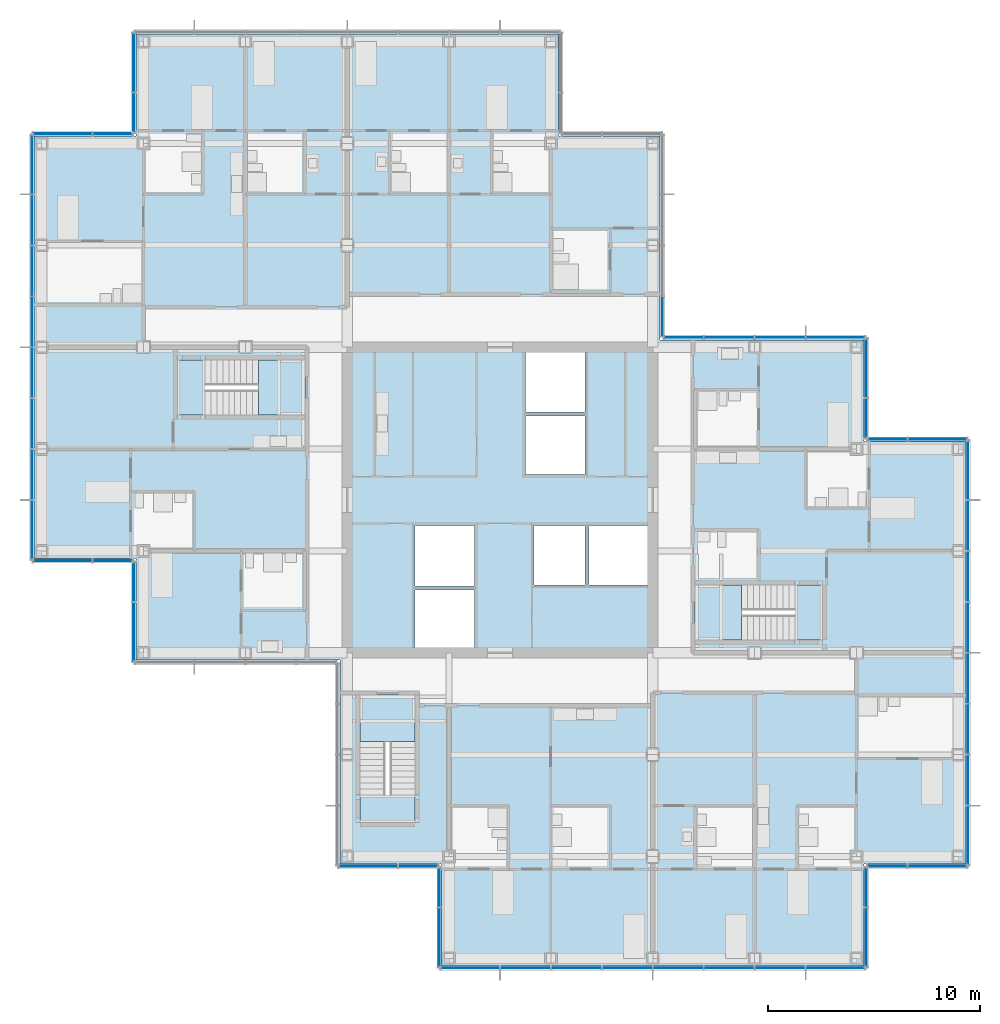
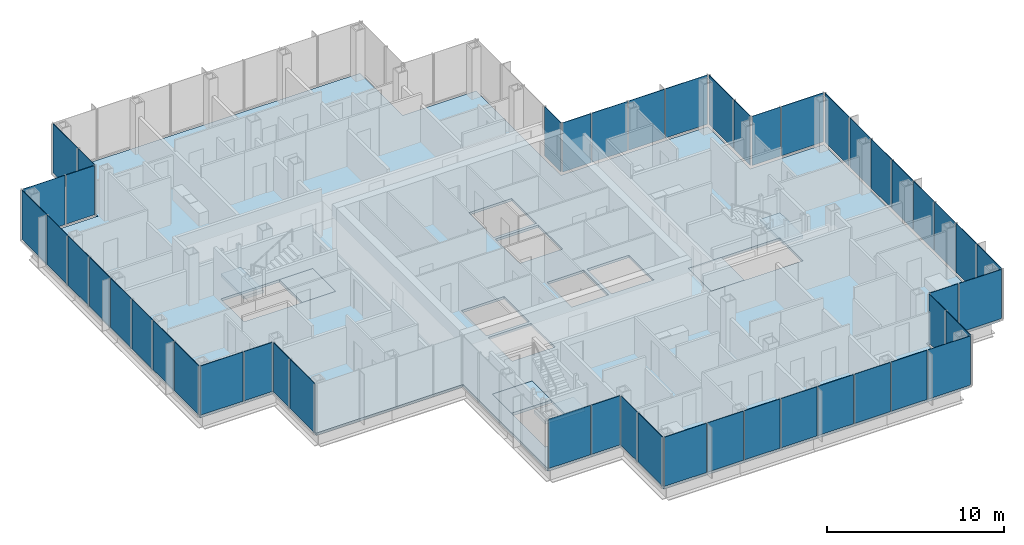
# One storey, part 12 of 20: 49 plates, 7 slabs, 18 elements without a shape of their own.
"""IFC4 building model written with IfcOpenShell, lengths in metres."""

from ifc_helpers import new_model, si_unit, direction, frame, origin, origin_2d, place, context, subcontext, project, spatial, polyline, rectangle, outline, extrude, material, layer, layer_set, type_object, element, aggregate, save


model = new_model("IFC4")

# Units and contexts
model_context = context("Model", 3, precision=1e-05, world=origin(), true_north=direction((0.0, 1.0)))
body_context = subcontext(model_context, "Body", "Model", "MODEL_VIEW")
ifc_project = project(units=[si_unit("LENGTHUNIT", "METRE"), si_unit("AREAUNIT", "SQUARE_METRE"), si_unit("VOLUMEUNIT", "CUBIC_METRE"), si_unit("PLANEANGLEUNIT", "RADIAN"), si_unit("MASSUNIT", "GRAM", prefix="KILO")], contexts=[model_context])

# Site, building, storey
site_placement = place(None, origin())
site = spatial("IfcSite", under=ifc_project, at=site_placement, CompositionType="ELEMENT")
building_placement = place(site_placement, origin())
building = spatial("IfcBuilding", under=site, at=building_placement, Name="Kvirike Care Tower", CompositionType="ELEMENT")
storey_placement = place(building_placement, frame((0.0, 0.0, 122.5)))
storey = spatial("IfcBuildingStorey", under=building, at=storey_placement, Name="L33", CompositionType="ELEMENT", Elevation=122.5)

# Slab
ifc_material_1 = material(Name="Concrete C35/45", Category="concrete")
ifc_layer_1 = layer(ifc_material_1, 0.169921875)
ifc_layer_set_1 = layer_set([ifc_layer_1], Name="FLOOR SLAB 170")
slab_type_1 = type_object("IfcSlabType", Name="FLOOR SLAB 170", PredefinedType="FLOOR", material=ifc_layer_set_1)
slab_1_placement = place(storey_placement, frame((0.0, 0.0, -0.169921875)))
element("IfcSlab", 1, at=slab_1_placement, inside=storey, type_object=slab_type_1, Name="Floor slab L33", PredefinedType="FLOOR", context=body_context, shape_type="SweptSolid", body=[
    extrude(outline(polyline([(43.550048828125, 18.85009765625), (43.550048828125, 38.75), (38.75, 38.75), (38.75, 43.550048828125), (29.14990234375, 43.550048828125), (29.14990234375, 53.14990234375), (24.35009765625, 53.14990234375), (24.35009765625, 57.949951171875), (4.449951171875, 57.949951171875), (4.449951171875, 53.14990234375), (-0.35009765625, 53.14990234375), (-0.35009765625, 33.25), (4.449951171875, 33.25), (4.449951171875, 28.449951171875), (14.050048828125, 28.449951171875), (14.050048828125, 18.85009765625), (18.85009765625, 18.85009765625), (18.85009765625, 14.050048828125), (38.75, 14.050048828125), (38.75, 18.85009765625), (43.550048828125, 18.85009765625)]), holes=[polyline([(17.60009765625, 29.050048828125), (17.60009765625, 31.75), (20.39990234375, 31.75), (20.39990234375, 29.050048828125), (17.60009765625, 29.050048828125)]), polyline([(17.60009765625, 31.949951171875), (17.60009765625, 34.800048828125), (20.39990234375, 34.800048828125), (20.39990234375, 31.949951171875), (17.60009765625, 31.949951171875)]), polyline([(22.800048828125, 37.199951171875), (22.800048828125, 39.949951171875), (25.60009765625, 39.949951171875), (25.60009765625, 37.199951171875), (22.800048828125, 37.199951171875)]), polyline([(22.800048828125, 40.14990234375), (22.800048828125, 42.949951171875), (25.60009765625, 42.949951171875), (25.60009765625, 40.14990234375), (22.800048828125, 40.14990234375)]), polyline([(23.199951171875, 32.0), (23.199951171875, 34.800048828125), (25.60009765625, 34.800048828125), (25.60009765625, 32.0), (23.199951171875, 32.0)]), polyline([(25.800048828125, 32.0), (25.800048828125, 34.800048828125), (28.550048828125, 34.800048828125), (28.550048828125, 32.0), (25.800048828125, 32.0)]), polyline([(12.39990234375, 42.60009765625), (12.39990234375, 40.0), (6.39990234375, 40.0), (6.39990234375, 42.60009765625), (12.39990234375, 42.60009765625)]), polyline([(30.800048828125, 29.39990234375), (30.800048828125, 32.0), (36.800048828125, 32.0), (36.800048828125, 29.39990234375), (30.800048828125, 29.39990234375)]), polyline([(15.0, 26.800048828125), (17.60009765625, 26.800048828125), (17.60009765625, 20.800048828125), (15.0, 20.800048828125), (15.0, 26.800048828125)])]), origin(), (0.0, 0.0, 1.0), 0.169921875),
])

# Stair, slabs
ifc_material_2 = material(Name="Concrete C35/45", Category="concrete")
stair_type = type_object("IfcStairType", Name="STAIR 20 RISERS", PredefinedType="HALF_TURN_STAIR", material=ifc_material_2)
stair_1_placement = place(storey_placement, origin())
stair_1 = element("IfcStair", 2, at=stair_1_placement, inside=storey, type_object=stair_type, Name="Stair 1 L33", PredefinedType="HALF_TURN_STAIR")
ifc_material_3 = material(Name="Concrete C35/45", Category="concrete")
ifc_layer_2 = layer(ifc_material_3, 0.199951171875)
ifc_layer_set_2 = layer_set([ifc_layer_2], Name="STAIR LANDING 200")
slab_type_2 = type_object("IfcSlabType", Name="STAIR LANDING 200", PredefinedType="LANDING", material=ifc_layer_set_2)
slab_2_placement = place(storey_placement, frame((0.0, 0.0, -0.199951171875)))
slab_2 = element("IfcSlab", 3, at=slab_2_placement, type_object=slab_type_2, Name="Stair S1 floor landing L33", PredefinedType="LANDING", context=body_context, shape_type="SweptSolid", body=[
    extrude(outline(polyline([(10.219970703125, 42.60009765625), (10.219970703125, 40.0), (12.39990234375, 40.0), (12.39990234375, 42.60009765625), (10.219970703125, 42.60009765625)])), origin(), (0.0, 0.0, 1.0), 0.199951171875),
])
slab_3_placement = place(storey_placement, frame((0.0, 0.0, 1.550048828125)))
slab_3 = element("IfcSlab", 4, at=slab_3_placement, type_object=slab_type_2, Name="Stair S1 half landing L33-L34", PredefinedType="LANDING", context=body_context, shape_type="SweptSolid", body=[
    extrude(outline(polyline([(6.39990234375, 42.60009765625), (6.39990234375, 40.0), (7.699951171875, 40.0), (7.699951171875, 42.60009765625), (6.39990234375, 42.60009765625)])), origin(), (0.0, 0.0, 1.0), 0.199951171875),
])
aggregate(stair_1, [slab_2, slab_3])

stair_2_placement = place(storey_placement, origin())
stair_2 = element("IfcStair", 5, at=stair_2_placement, inside=storey, type_object=stair_type, Name="Stair 2 L33", PredefinedType="HALF_TURN_STAIR")
slab_4_placement = place(storey_placement, frame((0.0, 0.0, -0.199951171875)))
slab_4 = element("IfcSlab", 6, at=slab_4_placement, type_object=slab_type_2, Name="Stair S2 floor landing L33", PredefinedType="LANDING", context=body_context, shape_type="SweptSolid", body=[
    extrude(outline(polyline([(32.97998046875, 29.39990234375), (32.97998046875, 32.0), (30.800048828125, 32.0), (30.800048828125, 29.39990234375), (32.97998046875, 29.39990234375)])), origin(), (0.0, 0.0, 1.0), 0.199951171875),
])
slab_5_placement = place(storey_placement, frame((0.0, 0.0, 1.550048828125)))
slab_5 = element("IfcSlab", 7, at=slab_5_placement, type_object=slab_type_2, Name="Stair S2 half landing L33-L34", PredefinedType="LANDING", context=body_context, shape_type="SweptSolid", body=[
    extrude(outline(polyline([(36.800048828125, 29.39990234375), (36.800048828125, 32.0), (35.5, 32.0), (35.5, 29.39990234375), (36.800048828125, 29.39990234375)])), origin(), (0.0, 0.0, 1.0), 0.199951171875),
])
aggregate(stair_2, [slab_4, slab_5])

stair_3_placement = place(storey_placement, origin())
stair_3 = element("IfcStair", 8, at=stair_3_placement, inside=storey, type_object=stair_type, Name="Stair 5 L33", PredefinedType="HALF_TURN_STAIR")
slab_6_placement = place(storey_placement, frame((0.0, 0.0, -0.199951171875)))
slab_6 = element("IfcSlab", 9, at=slab_6_placement, type_object=slab_type_2, Name="Stair S5 floor landing L33", PredefinedType="LANDING", context=body_context, shape_type="SweptSolid", body=[
    extrude(outline(polyline([(15.0, 24.6201171875), (17.60009765625, 24.6201171875), (17.60009765625, 26.800048828125), (15.0, 26.800048828125), (15.0, 24.6201171875)])), origin(), (0.0, 0.0, 1.0), 0.199951171875),
])
slab_7_placement = place(storey_placement, frame((0.0, 0.0, 1.550048828125)))
slab_7 = element("IfcSlab", 10, at=slab_7_placement, type_object=slab_type_2, Name="Stair S5 half landing L33-L34", PredefinedType="LANDING", context=body_context, shape_type="SweptSolid", body=[
    extrude(outline(polyline([(15.0, 20.800048828125), (17.60009765625, 20.800048828125), (17.60009765625, 22.10009765625), (15.0, 22.10009765625), (15.0, 20.800048828125)])), origin(), (0.0, 0.0, 1.0), 0.199951171875),
])
aggregate(stair_3, [slab_6, slab_7])

# Curtain wall, plates
ifc_material_4 = material(Name="Anodised aluminium stick system", Category="aluminium")
curtain_wall_type = type_object("IfcCurtainWallType", Name="CW-B STICK CURTAIN WALL", PredefinedType="NOTDEFINED", material=ifc_material_4)
curtain_wall_1_placement = place(storey_placement, origin())
curtain_wall_1 = element("IfcCurtainWall", 11, at=curtain_wall_1_placement, inside=storey, type_object=curtain_wall_type, Name="Curtain wall L33 face 1", PredefinedType="NOTDEFINED")
ifc_material_5 = material(Name="Tinted double glazed unit", Category="glass")
ifc_layer_3 = layer(ifc_material_5, 0.035888671875)
ifc_layer_set_3 = layer_set([ifc_layer_3], Name="TINTED VISION PANEL 36")
plate_type = type_object("IfcPlateType", Name="TINTED VISION PANEL 36", PredefinedType="CURTAIN_PANEL", material=ifc_layer_set_3)
plate_1_placement = place(storey_placement, frame((43.659912109375, 20.186279296875, 0.10009765625), z_axis=(0.0, 0.0, 1.0), x_axis=(0.0, 1.0, 0.0)))
plate_1 = element("IfcPlate", 12, at=plate_1_placement, type_object=plate_type, Name="CW-B panel L33 face 1.1", PredefinedType="CURTAIN_PANEL", context=body_context, shape_type="SweptSolid", body=[
    extrude(rectangle(XDim=2.762451171875, YDim=0.035888671875, at=origin_2d()), origin(), (0.0, 0.0, 1.0), 3.39990234375),
])
plate_2_placement = place(storey_placement, frame((43.659912109375, 22.800048828125, 0.10009765625), z_axis=(0.0, 0.0, 1.0), x_axis=(0.0, 1.0, 0.0)))
plate_2 = element("IfcPlate", 13, at=plate_2_placement, type_object=plate_type, Name="CW-B panel L33 face 1.2", PredefinedType="CURTAIN_PANEL", context=body_context, shape_type="SweptSolid", body=[
    extrude(rectangle(XDim=2.3349609375, YDim=0.035888671875, at=origin_2d()), origin(), (0.0, 0.0, 1.0), 3.39990234375),
])
plate_3_placement = place(storey_placement, frame((43.659912109375, 25.199951171875, 0.10009765625), z_axis=(0.0, 0.0, 1.0), x_axis=(0.0, 1.0, 0.0)))
plate_3 = element("IfcPlate", 14, at=plate_3_placement, type_object=plate_type, Name="CW-B panel L33 face 1.3", PredefinedType="CURTAIN_PANEL", context=body_context, shape_type="SweptSolid", body=[
    extrude(rectangle(XDim=2.3349609375, YDim=0.035888671875, at=origin_2d()), origin(), (0.0, 0.0, 1.0), 3.39990234375),
])
plate_4_placement = place(storey_placement, frame((43.659912109375, 27.60009765625, 0.10009765625), z_axis=(0.0, 0.0, 1.0), x_axis=(0.0, 1.0, 0.0)))
plate_4 = element("IfcPlate", 15, at=plate_4_placement, type_object=plate_type, Name="CW-B panel L33 face 1.4", PredefinedType="CURTAIN_PANEL", context=body_context, shape_type="SweptSolid", body=[
    extrude(rectangle(XDim=2.3349609375, YDim=0.035888671875, at=origin_2d()), origin(), (0.0, 0.0, 1.0), 3.39990234375),
])
plate_5_placement = place(storey_placement, frame((43.659912109375, 30.0, 0.10009765625), z_axis=(0.0, 0.0, 1.0), x_axis=(0.0, 1.0, 0.0)))
plate_5 = element("IfcPlate", 16, at=plate_5_placement, type_object=plate_type, Name="CW-B panel L33 face 1.5", PredefinedType="CURTAIN_PANEL", context=body_context, shape_type="SweptSolid", body=[
    extrude(rectangle(XDim=2.3349609375, YDim=0.035888671875, at=origin_2d()), origin(), (0.0, 0.0, 1.0), 3.39990234375),
])
plate_6_placement = place(storey_placement, frame((43.659912109375, 32.39990234375, 0.10009765625), z_axis=(0.0, 0.0, 1.0), x_axis=(0.0, 1.0, 0.0)))
plate_6 = element("IfcPlate", 17, at=plate_6_placement, type_object=plate_type, Name="CW-B panel L33 face 1.6", PredefinedType="CURTAIN_PANEL", context=body_context, shape_type="SweptSolid", body=[
    extrude(rectangle(XDim=2.3349609375, YDim=0.035888671875, at=origin_2d()), origin(), (0.0, 0.0, 1.0), 3.39990234375),
])
plate_7_placement = place(storey_placement, frame((43.659912109375, 34.800048828125, 0.10009765625), z_axis=(0.0, 0.0, 1.0), x_axis=(0.0, 1.0, 0.0)))
plate_7 = element("IfcPlate", 18, at=plate_7_placement, type_object=plate_type, Name="CW-B panel L33 face 1.7", PredefinedType="CURTAIN_PANEL", context=body_context, shape_type="SweptSolid", body=[
    extrude(rectangle(XDim=2.3349609375, YDim=0.035888671875, at=origin_2d()), origin(), (0.0, 0.0, 1.0), 3.39990234375),
])
plate_8_placement = place(storey_placement, frame((43.659912109375, 37.413818359375, 0.10009765625), z_axis=(0.0, 0.0, 1.0), x_axis=(0.0, 1.0, 0.0)))
plate_8 = element("IfcPlate", 19, at=plate_8_placement, type_object=plate_type, Name="CW-B panel L33 face 1.8", PredefinedType="CURTAIN_PANEL", context=body_context, shape_type="SweptSolid", body=[
    extrude(rectangle(XDim=2.762451171875, YDim=0.035888671875, at=origin_2d()), origin(), (0.0, 0.0, 1.0), 3.39990234375),
])
aggregate(curtain_wall_1, [plate_1, plate_2, plate_3, plate_4, plate_5, plate_6, plate_7, plate_8])

curtain_wall_2_placement = place(storey_placement, origin())
curtain_wall_2 = element("IfcCurtainWall", 20, at=curtain_wall_2_placement, inside=storey, type_object=curtain_wall_type, Name="Curtain wall L33 face 2", PredefinedType="NOTDEFINED")
plate_9_placement = place(storey_placement, frame((42.2138671875, 38.860107421875, 0.10009765625), z_axis=(0.0, 0.0, 1.0), x_axis=(-1.0, 0.0, 0.0)))
plate_9 = element("IfcPlate", 21, at=plate_9_placement, type_object=plate_type, Name="CW-B panel L33 face 2.1", PredefinedType="CURTAIN_PANEL", context=body_context, shape_type="SweptSolid", body=[
    extrude(rectangle(XDim=2.762451171875, YDim=0.035888671875, at=origin_2d()), origin(), (0.0, 0.0, 1.0), 3.39990234375),
])
plate_10_placement = place(storey_placement, frame((39.84619140625, 38.860107421875, 0.10009765625), z_axis=(0.0, 0.0, 1.0), x_axis=(-1.0, 0.0, 0.0)))
plate_10 = element("IfcPlate", 22, at=plate_10_placement, type_object=plate_type, Name="CW-B panel L33 face 2.2", PredefinedType="CURTAIN_PANEL", context=body_context, shape_type="SweptSolid", body=[
    extrude(rectangle(XDim=1.842529296875, YDim=0.035888671875, at=origin_2d()), origin(), (0.0, 0.0, 1.0), 3.39990234375),
])
aggregate(curtain_wall_2, [plate_9, plate_10])

curtain_wall_3_placement = place(storey_placement, origin())
curtain_wall_3 = element("IfcCurtainWall", 23, at=curtain_wall_3_placement, inside=storey, type_object=curtain_wall_type, Name="Curtain wall L33 face 3", PredefinedType="NOTDEFINED")
plate_11_placement = place(storey_placement, frame((38.860107421875, 39.84619140625, 0.10009765625), z_axis=(0.0, 0.0, 1.0), x_axis=(0.0, 1.0, 0.0)))
plate_11 = element("IfcPlate", 24, at=plate_11_placement, type_object=plate_type, Name="CW-B panel L33 face 3.1", PredefinedType="CURTAIN_PANEL", context=body_context, shape_type="SweptSolid", body=[
    extrude(rectangle(XDim=1.842529296875, YDim=0.035888671875, at=origin_2d()), origin(), (0.0, 0.0, 1.0), 3.39990234375),
])
plate_12_placement = place(storey_placement, frame((38.860107421875, 42.2138671875, 0.10009765625), z_axis=(0.0, 0.0, 1.0), x_axis=(0.0, 1.0, 0.0)))
plate_12 = element("IfcPlate", 25, at=plate_12_placement, type_object=plate_type, Name="CW-B panel L33 face 3.2", PredefinedType="CURTAIN_PANEL", context=body_context, shape_type="SweptSolid", body=[
    extrude(rectangle(XDim=2.762451171875, YDim=0.035888671875, at=origin_2d()), origin(), (0.0, 0.0, 1.0), 3.39990234375),
])
aggregate(curtain_wall_3, [plate_11, plate_12])

curtain_wall_4_placement = place(storey_placement, origin())
curtain_wall_4 = element("IfcCurtainWall", 26, at=curtain_wall_4_placement, inside=storey, type_object=curtain_wall_type, Name="Curtain wall L33 face 4", PredefinedType="NOTDEFINED")
plate_13_placement = place(storey_placement, frame((37.413818359375, 43.659912109375, 0.10009765625), z_axis=(0.0, 0.0, 1.0), x_axis=(-1.0, 0.0, 0.0)))
plate_13 = element("IfcPlate", 27, at=plate_13_placement, type_object=plate_type, Name="CW-B panel L33 face 4.1", PredefinedType="CURTAIN_PANEL", context=body_context, shape_type="SweptSolid", body=[
    extrude(rectangle(XDim=2.762451171875, YDim=0.035888671875, at=origin_2d()), origin(), (0.0, 0.0, 1.0), 3.39990234375),
])
plate_14_placement = place(storey_placement, frame((34.800048828125, 43.659912109375, 0.10009765625), z_axis=(0.0, 0.0, 1.0), x_axis=(-1.0, 0.0, 0.0)))
plate_14 = element("IfcPlate", 28, at=plate_14_placement, type_object=plate_type, Name="CW-B panel L33 face 4.2", PredefinedType="CURTAIN_PANEL", context=body_context, shape_type="SweptSolid", body=[
    extrude(rectangle(XDim=2.3349609375, YDim=0.035888671875, at=origin_2d()), origin(), (0.0, 0.0, 1.0), 3.39990234375),
])
plate_15_placement = place(storey_placement, frame((32.39990234375, 43.659912109375, 0.10009765625), z_axis=(0.0, 0.0, 1.0), x_axis=(-1.0, 0.0, 0.0)))
plate_15 = element("IfcPlate", 29, at=plate_15_placement, type_object=plate_type, Name="CW-B panel L33 face 4.3", PredefinedType="CURTAIN_PANEL", context=body_context, shape_type="SweptSolid", body=[
    extrude(rectangle(XDim=2.3349609375, YDim=0.035888671875, at=origin_2d()), origin(), (0.0, 0.0, 1.0), 3.39990234375),
])
plate_16_placement = place(storey_placement, frame((30.246337890625, 43.659912109375, 0.10009765625), z_axis=(0.0, 0.0, 1.0), x_axis=(-1.0, 0.0, 0.0)))
plate_16 = element("IfcPlate", 30, at=plate_16_placement, type_object=plate_type, Name="CW-B panel L33 face 4.4", PredefinedType="CURTAIN_PANEL", context=body_context, shape_type="SweptSolid", body=[
    extrude(rectangle(XDim=1.842529296875, YDim=0.035888671875, at=origin_2d()), origin(), (0.0, 0.0, 1.0), 3.39990234375),
])
aggregate(curtain_wall_4, [plate_13, plate_14, plate_15, plate_16])

# Curtain wall, plate
curtain_wall_5_placement = place(storey_placement, origin())
curtain_wall_5 = element("IfcCurtainWall", 31, at=curtain_wall_5_placement, inside=storey, type_object=curtain_wall_type, Name="Curtain wall L33 face 5", PredefinedType="NOTDEFINED")
plate_17_placement = place(storey_placement, frame((29.260009765625, 44.646240234375, 0.10009765625), z_axis=(0.0, 0.0, 1.0), x_axis=(0.0, 1.0, 0.0)))
plate_17 = element("IfcPlate", 32, at=plate_17_placement, type_object=plate_type, Name="CW-B panel L33 face 5.1", PredefinedType="CURTAIN_PANEL", context=body_context, shape_type="SweptSolid", body=[
    extrude(rectangle(XDim=1.842529296875, YDim=0.035888671875, at=origin_2d()), origin(), (0.0, 0.0, 1.0), 3.39990234375),
])
aggregate(curtain_wall_5, [plate_17])

# Curtain wall, plates
curtain_wall_6_placement = place(storey_placement, origin())
curtain_wall_6 = element("IfcCurtainWall", 33, at=curtain_wall_6_placement, inside=storey, type_object=curtain_wall_type, Name="Curtain wall L33 face 9", PredefinedType="NOTDEFINED")
plate_18_placement = place(storey_placement, frame((4.340087890625, 56.61376953125, 0.10009765625), z_axis=(0.0, 0.0, 1.0), x_axis=(0.0, -1.0, 0.0)))
plate_18 = element("IfcPlate", 34, at=plate_18_placement, type_object=plate_type, Name="CW-B panel L33 face 9.1", PredefinedType="CURTAIN_PANEL", context=body_context, shape_type="SweptSolid", body=[
    extrude(rectangle(XDim=2.762451171875, YDim=0.035888671875, at=origin_2d()), origin(), (0.0, 0.0, 1.0), 3.39990234375),
])
plate_19_placement = place(storey_placement, frame((4.340087890625, 54.246337890625, 0.10009765625), z_axis=(0.0, 0.0, 1.0), x_axis=(0.0, -1.0, 0.0)))
plate_19 = element("IfcPlate", 35, at=plate_19_placement, type_object=plate_type, Name="CW-B panel L33 face 9.2", PredefinedType="CURTAIN_PANEL", context=body_context, shape_type="SweptSolid", body=[
    extrude(rectangle(XDim=1.842529296875, YDim=0.035888671875, at=origin_2d()), origin(), (0.0, 0.0, 1.0), 3.39990234375),
])
aggregate(curtain_wall_6, [plate_18, plate_19])

curtain_wall_7_placement = place(storey_placement, origin())
curtain_wall_7 = element("IfcCurtainWall", 36, at=curtain_wall_7_placement, inside=storey, type_object=curtain_wall_type, Name="Curtain wall L33 face 10", PredefinedType="NOTDEFINED")
plate_20_placement = place(storey_placement, frame((3.353759765625, 53.260009765625, 0.10009765625), z_axis=(0.0, 0.0, 1.0), x_axis=(-1.0, 0.0, 0.0)))
plate_20 = element("IfcPlate", 37, at=plate_20_placement, type_object=plate_type, Name="CW-B panel L33 face 10.1", PredefinedType="CURTAIN_PANEL", context=body_context, shape_type="SweptSolid", body=[
    extrude(rectangle(XDim=1.842529296875, YDim=0.035888671875, at=origin_2d()), origin(), (0.0, 0.0, 1.0), 3.39990234375),
])
plate_21_placement = place(storey_placement, frame((0.986328125, 53.260009765625, 0.10009765625), z_axis=(0.0, 0.0, 1.0), x_axis=(-1.0, 0.0, 0.0)))
plate_21 = element("IfcPlate", 38, at=plate_21_placement, type_object=plate_type, Name="CW-B panel L33 face 10.2", PredefinedType="CURTAIN_PANEL", context=body_context, shape_type="SweptSolid", body=[
    extrude(rectangle(XDim=2.762451171875, YDim=0.035888671875, at=origin_2d()), origin(), (0.0, 0.0, 1.0), 3.39990234375),
])
aggregate(curtain_wall_7, [plate_20, plate_21])

curtain_wall_8_placement = place(storey_placement, origin())
curtain_wall_8 = element("IfcCurtainWall", 39, at=curtain_wall_8_placement, inside=storey, type_object=curtain_wall_type, Name="Curtain wall L33 face 11", PredefinedType="NOTDEFINED")
plate_22_placement = place(storey_placement, frame((-0.4599609375, 51.813720703125, 0.10009765625), z_axis=(0.0, 0.0, 1.0), x_axis=(0.0, -1.0, 0.0)))
plate_22 = element("IfcPlate", 40, at=plate_22_placement, type_object=plate_type, Name="CW-B panel L33 face 11.1", PredefinedType="CURTAIN_PANEL", context=body_context, shape_type="SweptSolid", body=[
    extrude(rectangle(XDim=2.762451171875, YDim=0.035888671875, at=origin_2d()), origin(), (0.0, 0.0, 1.0), 3.39990234375),
])
plate_23_placement = place(storey_placement, frame((-0.4599609375, 49.199951171875, 0.10009765625), z_axis=(0.0, 0.0, 1.0), x_axis=(0.0, -1.0, 0.0)))
plate_23 = element("IfcPlate", 41, at=plate_23_placement, type_object=plate_type, Name="CW-B panel L33 face 11.2", PredefinedType="CURTAIN_PANEL", context=body_context, shape_type="SweptSolid", body=[
    extrude(rectangle(XDim=2.3349609375, YDim=0.035888671875, at=origin_2d()), origin(), (0.0, 0.0, 1.0), 3.39990234375),
])
plate_24_placement = place(storey_placement, frame((-0.4599609375, 46.800048828125, 0.10009765625), z_axis=(0.0, 0.0, 1.0), x_axis=(0.0, -1.0, 0.0)))
plate_24 = element("IfcPlate", 42, at=plate_24_placement, type_object=plate_type, Name="CW-B panel L33 face 11.3", PredefinedType="CURTAIN_PANEL", context=body_context, shape_type="SweptSolid", body=[
    extrude(rectangle(XDim=2.3349609375, YDim=0.035888671875, at=origin_2d()), origin(), (0.0, 0.0, 1.0), 3.39990234375),
])
plate_25_placement = place(storey_placement, frame((-0.4599609375, 44.39990234375, 0.10009765625), z_axis=(0.0, 0.0, 1.0), x_axis=(0.0, -1.0, 0.0)))
plate_25 = element("IfcPlate", 43, at=plate_25_placement, type_object=plate_type, Name="CW-B panel L33 face 11.4", PredefinedType="CURTAIN_PANEL", context=body_context, shape_type="SweptSolid", body=[
    extrude(rectangle(XDim=2.3349609375, YDim=0.035888671875, at=origin_2d()), origin(), (0.0, 0.0, 1.0), 3.39990234375),
])
plate_26_placement = place(storey_placement, frame((-0.4599609375, 42.0, 0.10009765625), z_axis=(0.0, 0.0, 1.0), x_axis=(0.0, -1.0, 0.0)))
plate_26 = element("IfcPlate", 44, at=plate_26_placement, type_object=plate_type, Name="CW-B panel L33 face 11.5", PredefinedType="CURTAIN_PANEL", context=body_context, shape_type="SweptSolid", body=[
    extrude(rectangle(XDim=2.3349609375, YDim=0.035888671875, at=origin_2d()), origin(), (0.0, 0.0, 1.0), 3.39990234375),
])
plate_27_placement = place(storey_placement, frame((-0.4599609375, 39.60009765625, 0.10009765625), z_axis=(0.0, 0.0, 1.0), x_axis=(0.0, -1.0, 0.0)))
plate_27 = element("IfcPlate", 45, at=plate_27_placement, type_object=plate_type, Name="CW-B panel L33 face 11.6", PredefinedType="CURTAIN_PANEL", context=body_context, shape_type="SweptSolid", body=[
    extrude(rectangle(XDim=2.3349609375, YDim=0.035888671875, at=origin_2d()), origin(), (0.0, 0.0, 1.0), 3.39990234375),
])
plate_28_placement = place(storey_placement, frame((-0.4599609375, 37.199951171875, 0.10009765625), z_axis=(0.0, 0.0, 1.0), x_axis=(0.0, -1.0, 0.0)))
plate_28 = element("IfcPlate", 46, at=plate_28_placement, type_object=plate_type, Name="CW-B panel L33 face 11.7", PredefinedType="CURTAIN_PANEL", context=body_context, shape_type="SweptSolid", body=[
    extrude(rectangle(XDim=2.3349609375, YDim=0.035888671875, at=origin_2d()), origin(), (0.0, 0.0, 1.0), 3.39990234375),
])
plate_29_placement = place(storey_placement, frame((-0.4599609375, 34.586181640625, 0.10009765625), z_axis=(0.0, 0.0, 1.0), x_axis=(0.0, -1.0, 0.0)))
plate_29 = element("IfcPlate", 47, at=plate_29_placement, type_object=plate_type, Name="CW-B panel L33 face 11.8", PredefinedType="CURTAIN_PANEL", context=body_context, shape_type="SweptSolid", body=[
    extrude(rectangle(XDim=2.762451171875, YDim=0.035888671875, at=origin_2d()), origin(), (0.0, 0.0, 1.0), 3.39990234375),
])
aggregate(curtain_wall_8, [plate_22, plate_23, plate_24, plate_25, plate_26, plate_27, plate_28, plate_29])

curtain_wall_9_placement = place(storey_placement, origin())
curtain_wall_9 = element("IfcCurtainWall", 48, at=curtain_wall_9_placement, inside=storey, type_object=curtain_wall_type, Name="Curtain wall L33 face 12", PredefinedType="NOTDEFINED")
plate_30_placement = place(storey_placement, frame((0.986328125, 33.139892578125, 0.10009765625), z_axis=(0.0, 0.0, 1.0), x_axis=(1.0, 0.0, 0.0)))
plate_30 = element("IfcPlate", 49, at=plate_30_placement, type_object=plate_type, Name="CW-B panel L33 face 12.1", PredefinedType="CURTAIN_PANEL", context=body_context, shape_type="SweptSolid", body=[
    extrude(rectangle(XDim=2.762451171875, YDim=0.035888671875, at=origin_2d()), origin(), (0.0, 0.0, 1.0), 3.39990234375),
])
plate_31_placement = place(storey_placement, frame((3.353759765625, 33.139892578125, 0.10009765625), z_axis=(0.0, 0.0, 1.0), x_axis=(1.0, 0.0, 0.0)))
plate_31 = element("IfcPlate", 50, at=plate_31_placement, type_object=plate_type, Name="CW-B panel L33 face 12.2", PredefinedType="CURTAIN_PANEL", context=body_context, shape_type="SweptSolid", body=[
    extrude(rectangle(XDim=1.842529296875, YDim=0.035888671875, at=origin_2d()), origin(), (0.0, 0.0, 1.0), 3.39990234375),
])
aggregate(curtain_wall_9, [plate_30, plate_31])

curtain_wall_10_placement = place(storey_placement, origin())
curtain_wall_10 = element("IfcCurtainWall", 51, at=curtain_wall_10_placement, inside=storey, type_object=curtain_wall_type, Name="Curtain wall L33 face 13", PredefinedType="NOTDEFINED")
plate_32_placement = place(storey_placement, frame((4.340087890625, 32.15380859375, 0.10009765625), z_axis=(0.0, 0.0, 1.0), x_axis=(0.0, -1.0, 0.0)))
plate_32 = element("IfcPlate", 52, at=plate_32_placement, type_object=plate_type, Name="CW-B panel L33 face 13.1", PredefinedType="CURTAIN_PANEL", context=body_context, shape_type="SweptSolid", body=[
    extrude(rectangle(XDim=1.842529296875, YDim=0.035888671875, at=origin_2d()), origin(), (0.0, 0.0, 1.0), 3.39990234375),
])
plate_33_placement = place(storey_placement, frame((4.340087890625, 29.7861328125, 0.10009765625), z_axis=(0.0, 0.0, 1.0), x_axis=(0.0, -1.0, 0.0)))
plate_33 = element("IfcPlate", 53, at=plate_33_placement, type_object=plate_type, Name="CW-B panel L33 face 13.2", PredefinedType="CURTAIN_PANEL", context=body_context, shape_type="SweptSolid", body=[
    extrude(rectangle(XDim=2.762451171875, YDim=0.035888671875, at=origin_2d()), origin(), (0.0, 0.0, 1.0), 3.39990234375),
])
aggregate(curtain_wall_10, [plate_32, plate_33])

curtain_wall_11_placement = place(storey_placement, origin())
curtain_wall_11 = element("IfcCurtainWall", 54, at=curtain_wall_11_placement, inside=storey, type_object=curtain_wall_type, Name="Curtain wall L33 face 16", PredefinedType="NOTDEFINED")
plate_34_placement = place(storey_placement, frame((15.38623046875, 18.739990234375, 0.10009765625), z_axis=(0.0, 0.0, 1.0), x_axis=(1.0, 0.0, 0.0)))
plate_34 = element("IfcPlate", 55, at=plate_34_placement, type_object=plate_type, Name="CW-B panel L33 face 16.1", PredefinedType="CURTAIN_PANEL", context=body_context, shape_type="SweptSolid", body=[
    extrude(rectangle(XDim=2.762451171875, YDim=0.035888671875, at=origin_2d()), origin(), (0.0, 0.0, 1.0), 3.39990234375),
])
plate_35_placement = place(storey_placement, frame((17.753662109375, 18.739990234375, 0.10009765625), z_axis=(0.0, 0.0, 1.0), x_axis=(1.0, 0.0, 0.0)))
plate_35 = element("IfcPlate", 56, at=plate_35_placement, type_object=plate_type, Name="CW-B panel L33 face 16.2", PredefinedType="CURTAIN_PANEL", context=body_context, shape_type="SweptSolid", body=[
    extrude(rectangle(XDim=1.842529296875, YDim=0.035888671875, at=origin_2d()), origin(), (0.0, 0.0, 1.0), 3.39990234375),
])
aggregate(curtain_wall_11, [plate_34, plate_35])

curtain_wall_12_placement = place(storey_placement, origin())
curtain_wall_12 = element("IfcCurtainWall", 57, at=curtain_wall_12_placement, inside=storey, type_object=curtain_wall_type, Name="Curtain wall L33 face 17", PredefinedType="NOTDEFINED")
plate_36_placement = place(storey_placement, frame((18.739990234375, 17.753662109375, 0.10009765625), z_axis=(0.0, 0.0, 1.0), x_axis=(0.0, -1.0, 0.0)))
plate_36 = element("IfcPlate", 58, at=plate_36_placement, type_object=plate_type, Name="CW-B panel L33 face 17.1", PredefinedType="CURTAIN_PANEL", context=body_context, shape_type="SweptSolid", body=[
    extrude(rectangle(XDim=1.842529296875, YDim=0.035888671875, at=origin_2d()), origin(), (0.0, 0.0, 1.0), 3.39990234375),
])
plate_37_placement = place(storey_placement, frame((18.739990234375, 15.38623046875, 0.10009765625), z_axis=(0.0, 0.0, 1.0), x_axis=(0.0, -1.0, 0.0)))
plate_37 = element("IfcPlate", 59, at=plate_37_placement, type_object=plate_type, Name="CW-B panel L33 face 17.2", PredefinedType="CURTAIN_PANEL", context=body_context, shape_type="SweptSolid", body=[
    extrude(rectangle(XDim=2.762451171875, YDim=0.035888671875, at=origin_2d()), origin(), (0.0, 0.0, 1.0), 3.39990234375),
])
aggregate(curtain_wall_12, [plate_36, plate_37])

curtain_wall_13_placement = place(storey_placement, origin())
curtain_wall_13 = element("IfcCurtainWall", 60, at=curtain_wall_13_placement, inside=storey, type_object=curtain_wall_type, Name="Curtain wall L33 face 18", PredefinedType="NOTDEFINED")
plate_38_placement = place(storey_placement, frame((20.186279296875, 13.93994140625, 0.10009765625), z_axis=(0.0, 0.0, 1.0), x_axis=(1.0, 0.0, 0.0)))
plate_38 = element("IfcPlate", 61, at=plate_38_placement, type_object=plate_type, Name="CW-B panel L33 face 18.1", PredefinedType="CURTAIN_PANEL", context=body_context, shape_type="SweptSolid", body=[
    extrude(rectangle(XDim=2.762451171875, YDim=0.035888671875, at=origin_2d()), origin(), (0.0, 0.0, 1.0), 3.39990234375),
])
plate_39_placement = place(storey_placement, frame((22.800048828125, 13.93994140625, 0.10009765625), z_axis=(0.0, 0.0, 1.0), x_axis=(1.0, 0.0, 0.0)))
plate_39 = element("IfcPlate", 62, at=plate_39_placement, type_object=plate_type, Name="CW-B panel L33 face 18.2", PredefinedType="CURTAIN_PANEL", context=body_context, shape_type="SweptSolid", body=[
    extrude(rectangle(XDim=2.3349609375, YDim=0.035888671875, at=origin_2d()), origin(), (0.0, 0.0, 1.0), 3.39990234375),
])
plate_40_placement = place(storey_placement, frame((25.199951171875, 13.93994140625, 0.10009765625), z_axis=(0.0, 0.0, 1.0), x_axis=(1.0, 0.0, 0.0)))
plate_40 = element("IfcPlate", 63, at=plate_40_placement, type_object=plate_type, Name="CW-B panel L33 face 18.3", PredefinedType="CURTAIN_PANEL", context=body_context, shape_type="SweptSolid", body=[
    extrude(rectangle(XDim=2.3349609375, YDim=0.035888671875, at=origin_2d()), origin(), (0.0, 0.0, 1.0), 3.39990234375),
])
plate_41_placement = place(storey_placement, frame((27.60009765625, 13.93994140625, 0.10009765625), z_axis=(0.0, 0.0, 1.0), x_axis=(1.0, 0.0, 0.0)))
plate_41 = element("IfcPlate", 64, at=plate_41_placement, type_object=plate_type, Name="CW-B panel L33 face 18.4", PredefinedType="CURTAIN_PANEL", context=body_context, shape_type="SweptSolid", body=[
    extrude(rectangle(XDim=2.3349609375, YDim=0.035888671875, at=origin_2d()), origin(), (0.0, 0.0, 1.0), 3.39990234375),
])
plate_42_placement = place(storey_placement, frame((30.0, 13.93994140625, 0.10009765625), z_axis=(0.0, 0.0, 1.0), x_axis=(1.0, 0.0, 0.0)))
plate_42 = element("IfcPlate", 65, at=plate_42_placement, type_object=plate_type, Name="CW-B panel L33 face 18.5", PredefinedType="CURTAIN_PANEL", context=body_context, shape_type="SweptSolid", body=[
    extrude(rectangle(XDim=2.3349609375, YDim=0.035888671875, at=origin_2d()), origin(), (0.0, 0.0, 1.0), 3.39990234375),
])
plate_43_placement = place(storey_placement, frame((32.39990234375, 13.93994140625, 0.10009765625), z_axis=(0.0, 0.0, 1.0), x_axis=(1.0, 0.0, 0.0)))
plate_43 = element("IfcPlate", 66, at=plate_43_placement, type_object=plate_type, Name="CW-B panel L33 face 18.6", PredefinedType="CURTAIN_PANEL", context=body_context, shape_type="SweptSolid", body=[
    extrude(rectangle(XDim=2.3349609375, YDim=0.035888671875, at=origin_2d()), origin(), (0.0, 0.0, 1.0), 3.39990234375),
])
plate_44_placement = place(storey_placement, frame((34.800048828125, 13.93994140625, 0.10009765625), z_axis=(0.0, 0.0, 1.0), x_axis=(1.0, 0.0, 0.0)))
plate_44 = element("IfcPlate", 67, at=plate_44_placement, type_object=plate_type, Name="CW-B panel L33 face 18.7", PredefinedType="CURTAIN_PANEL", context=body_context, shape_type="SweptSolid", body=[
    extrude(rectangle(XDim=2.3349609375, YDim=0.035888671875, at=origin_2d()), origin(), (0.0, 0.0, 1.0), 3.39990234375),
])
plate_45_placement = place(storey_placement, frame((37.413818359375, 13.93994140625, 0.10009765625), z_axis=(0.0, 0.0, 1.0), x_axis=(1.0, 0.0, 0.0)))
plate_45 = element("IfcPlate", 68, at=plate_45_placement, type_object=plate_type, Name="CW-B panel L33 face 18.8", PredefinedType="CURTAIN_PANEL", context=body_context, shape_type="SweptSolid", body=[
    extrude(rectangle(XDim=2.762451171875, YDim=0.035888671875, at=origin_2d()), origin(), (0.0, 0.0, 1.0), 3.39990234375),
])
aggregate(curtain_wall_13, [plate_38, plate_39, plate_40, plate_41, plate_42, plate_43, plate_44, plate_45])

curtain_wall_14_placement = place(storey_placement, origin())
curtain_wall_14 = element("IfcCurtainWall", 69, at=curtain_wall_14_placement, inside=storey, type_object=curtain_wall_type, Name="Curtain wall L33 face 19", PredefinedType="NOTDEFINED")
plate_46_placement = place(storey_placement, frame((38.860107421875, 15.38623046875, 0.10009765625), z_axis=(0.0, 0.0, 1.0), x_axis=(0.0, 1.0, 0.0)))
plate_46 = element("IfcPlate", 70, at=plate_46_placement, type_object=plate_type, Name="CW-B panel L33 face 19.1", PredefinedType="CURTAIN_PANEL", context=body_context, shape_type="SweptSolid", body=[
    extrude(rectangle(XDim=2.762451171875, YDim=0.035888671875, at=origin_2d()), origin(), (0.0, 0.0, 1.0), 3.39990234375),
])
plate_47_placement = place(storey_placement, frame((38.860107421875, 17.753662109375, 0.10009765625), z_axis=(0.0, 0.0, 1.0), x_axis=(0.0, 1.0, 0.0)))
plate_47 = element("IfcPlate", 71, at=plate_47_placement, type_object=plate_type, Name="CW-B panel L33 face 19.2", PredefinedType="CURTAIN_PANEL", context=body_context, shape_type="SweptSolid", body=[
    extrude(rectangle(XDim=1.842529296875, YDim=0.035888671875, at=origin_2d()), origin(), (0.0, 0.0, 1.0), 3.39990234375),
])
aggregate(curtain_wall_14, [plate_46, plate_47])

curtain_wall_15_placement = place(storey_placement, origin())
curtain_wall_15 = element("IfcCurtainWall", 72, at=curtain_wall_15_placement, inside=storey, type_object=curtain_wall_type, Name="Curtain wall L33 face 20", PredefinedType="NOTDEFINED")
plate_48_placement = place(storey_placement, frame((39.84619140625, 18.739990234375, 0.10009765625), z_axis=(0.0, 0.0, 1.0), x_axis=(1.0, 0.0, 0.0)))
plate_48 = element("IfcPlate", 73, at=plate_48_placement, type_object=plate_type, Name="CW-B panel L33 face 20.1", PredefinedType="CURTAIN_PANEL", context=body_context, shape_type="SweptSolid", body=[
    extrude(rectangle(XDim=1.842529296875, YDim=0.035888671875, at=origin_2d()), origin(), (0.0, 0.0, 1.0), 3.39990234375),
])
plate_49_placement = place(storey_placement, frame((42.2138671875, 18.739990234375, 0.10009765625), z_axis=(0.0, 0.0, 1.0), x_axis=(1.0, 0.0, 0.0)))
plate_49 = element("IfcPlate", 74, at=plate_49_placement, type_object=plate_type, Name="CW-B panel L33 face 20.2", PredefinedType="CURTAIN_PANEL", context=body_context, shape_type="SweptSolid", body=[
    extrude(rectangle(XDim=2.762451171875, YDim=0.035888671875, at=origin_2d()), origin(), (0.0, 0.0, 1.0), 3.39990234375),
])
aggregate(curtain_wall_15, [plate_48, plate_49])

save(model, "model.ifc")
